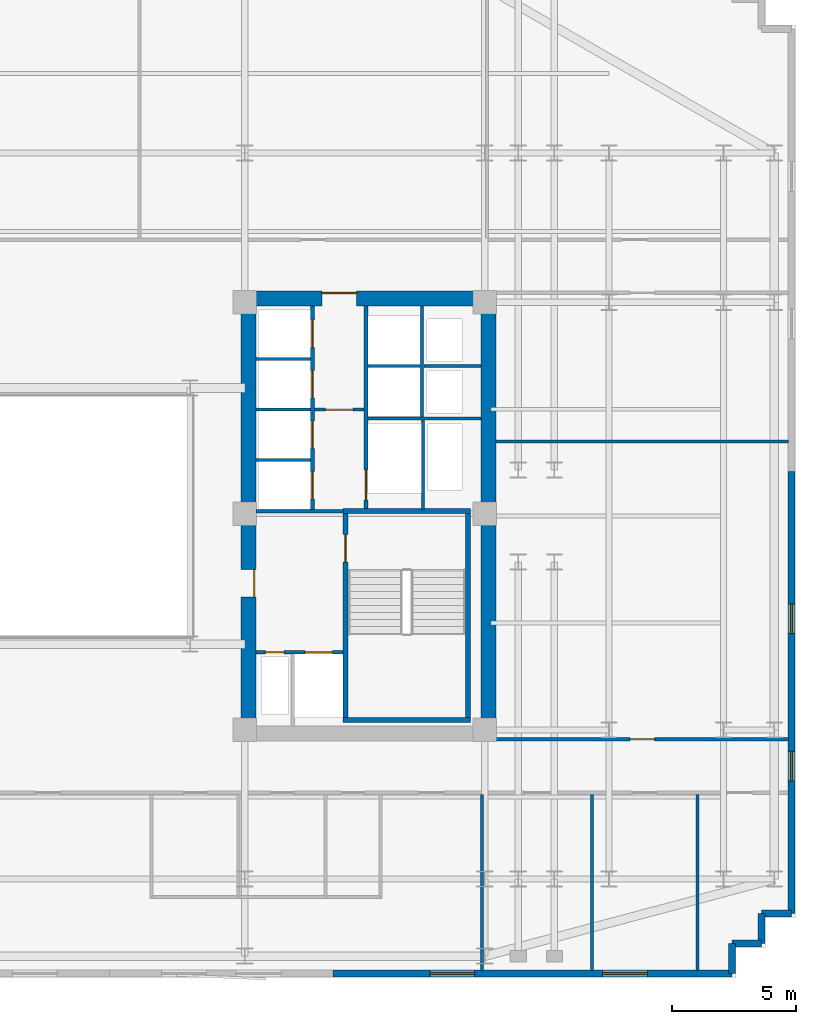
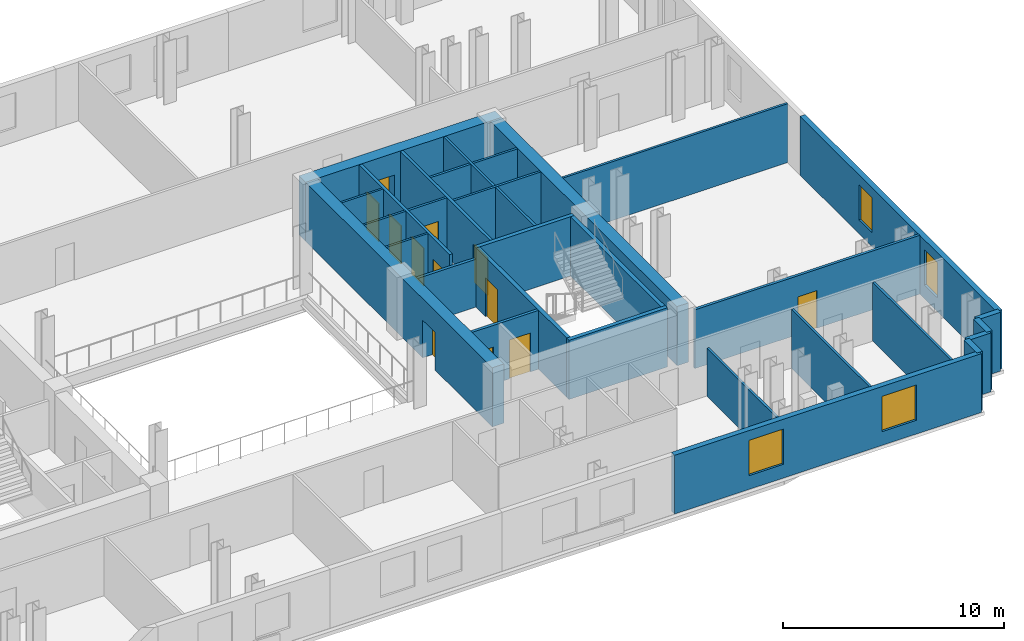
# One storey, part 6 of 9: 31 walls, 12 doors, 4 windows, 16 openings.
"""IFC4 building model written with IfcOpenShell, lengths in metres."""

import ifcopenshell
import ifcopenshell.guid

model = None  # the IFC model being written
_history = None  # IfcOwnerHistory: only IFC2X3 demands one
_inside = {}  # id of a spatial element -> (the spatial element, [elements in it])
_under = {}  # id of a project, library or spatial element -> (it, [spatial elements below it])
_declared = {}  # id of a project -> (the project, [libraries it declares])
_typed = {}  # id of a type object -> (the type object, [elements of that type])
_made_of = {}  # id of a material, layer set ... -> (it, [elements and type objects made of it])


def new_model(schema):
    """Start an empty IFC model of exactly this schema.

    Asked for "IFC4X3", IfcOpenShell would pick the latest addendum, in which some entities
    have other attributes; the version numbers below select the first issue.
    IFC2X3 requires an IfcOwnerHistory on every rooted entity: one is made here for all.
    """
    global model, _history
    if schema == "IFC4X3":
        model = ifcopenshell.file(schema_version=(4, 3, 0, 0))
    else:
        model = ifcopenshell.file(schema=schema)
    _inside.clear()
    _under.clear()
    _declared.clear()
    _typed.clear()
    _made_of.clear()
    _history = None
    if model.schema == "IFC2X3":
        org = make("IfcOrganization", Name="unknown")
        user = make(
            "IfcPersonAndOrganization",
            ThePerson=make("IfcPerson", FamilyName="unknown"),
            TheOrganization=org,
        )
        app = make(
            "IfcApplication",
            ApplicationDeveloper=org,
            Version="unknown",
            ApplicationFullName="unknown",
            ApplicationIdentifier="unknown",
        )
        _history = make(
            "IfcOwnerHistory",
            OwningUser=user,
            OwningApplication=app,
            ChangeAction="ADDED",
            CreationDate=0,
        )
    return model


def make(cls, **values):
    """One entity of the class cls with the attributes given. An attribute that is None is left unset."""
    return model.create_entity(
        cls, **{name: value for name, value in values.items() if value is not None}
    )


def rooted(cls, **values):
    """An entity with a GlobalId (a new one), such as an element, a storey or a relation."""
    return make(cls, GlobalId=ifcopenshell.guid.new(), OwnerHistory=_history, **values)


def si_unit(unit_type, name, prefix=None):
    """IfcSIUnit, for example si_unit("LENGTHUNIT", "METRE", prefix="MILLI")."""
    return make("IfcSIUnit", UnitType=unit_type, Prefix=prefix, Name=name)


def assignment(units):
    """IfcUnitAssignment: the units of a project."""
    return None if units is None else make("IfcUnitAssignment", Units=units)


def point(xyz):
    """IfcCartesianPoint."""
    return None if xyz is None else make("IfcCartesianPoint", Coordinates=xyz)


def direction(xyz):
    """IfcDirection."""
    return None if xyz is None else make("IfcDirection", DirectionRatios=xyz)


def frame(location, z_axis=None, x_axis=None):
    """IfcAxis2Placement3D, a coordinate frame: its origin and axes. An axis left out is left unset."""
    return make(
        "IfcAxis2Placement3D",
        Location=point(location),
        Axis=direction(z_axis),
        RefDirection=direction(x_axis),
    )


def frame_2d(location, x_axis=None):
    """IfcAxis2Placement2D, a coordinate frame in the plane: its origin and x axis."""
    return make(
        "IfcAxis2Placement2D", Location=point(location), RefDirection=direction(x_axis)
    )


def origin():
    """The frame at (0, 0, 0) with its axes left unset."""
    return frame((0.0, 0.0, 0.0))


def place(relative_to, where):
    """IfcLocalPlacement: puts the frame where relative to a parent placement (None: the world)."""
    return make(
        "IfcLocalPlacement", PlacementRelTo=relative_to, RelativePlacement=where
    )


def context(
    kind, dimensions, precision=None, world=None, true_north=None, identifier=None
):
    """IfcGeometricRepresentationContext, for example the 3D "Model" context."""
    return make(
        "IfcGeometricRepresentationContext",
        ContextIdentifier=identifier,
        ContextType=kind,
        CoordinateSpaceDimension=dimensions,
        Precision=precision,
        WorldCoordinateSystem=world,
        TrueNorth=true_north,
    )


def subcontext(parent, identifier, kind, view, scale=None):
    """IfcGeometricRepresentationSubContext, for example "Body" below "Model"."""
    return make(
        "IfcGeometricRepresentationSubContext",
        ContextIdentifier=identifier,
        ContextType=kind,
        ParentContext=parent,
        TargetScale=scale,
        TargetView=view,
    )


def project(units=None, contexts=None):
    """IfcProject with its units and contexts."""
    return rooted(
        "IfcProject",
        Name="project",
        RepresentationContexts=contexts,
        UnitsInContext=assignment(units),
    )


def spatial(cls, under=None, at=None, **own):
    """A site, building, storey or space (cls), placed at a placement, below another one or the project."""
    s = rooted(cls, ObjectPlacement=at, **own)
    if under is not None:
        _under.setdefault(under.id(), (under, []))[1].append(s)
    return s


def profile(cls, at=None, kind="AREA", **sizes):
    """A parametric profile (cls). Its sizes go by their IFC names, for example OverallWidth=200.0."""
    return make(cls, ProfileType=kind, Position=at, **sizes)


def rectangle(**sizes):
    """IfcRectangleProfileDef."""
    return profile("IfcRectangleProfileDef", **sizes)


def extrude(swept, where, along, depth):
    """IfcExtrudedAreaSolid: the profile swept, set in the frame where, extruded along a direction by depth."""
    return make(
        "IfcExtrudedAreaSolid",
        SweptArea=swept,
        Position=where,
        ExtrudedDirection=direction(along),
        Depth=depth,
    )


def shape(context_of_items, identifier, shape_type, items):
    """IfcShapeRepresentation: the items that make up one representation, for example the "Body"."""
    return make(
        "IfcShapeRepresentation",
        ContextOfItems=context_of_items,
        RepresentationIdentifier=identifier,
        RepresentationType=shape_type,
        Items=items,
    )


def material(Name=None, Category=None):
    """IfcMaterial."""
    return make("IfcMaterial", Name=Name, Category=Category)


def layer(
    of_material, thickness, ventilated=None, Name=None, Category=None, Priority=None
):
    """IfcMaterialLayer: one layer of a wall or slab, of a material (None: an air gap)."""
    return make(
        "IfcMaterialLayer",
        Material=of_material,
        LayerThickness=thickness,
        IsVentilated=ventilated,
        Name=Name,
        Category=Category,
        Priority=Priority,
    )


def layer_set(layers, Name=None):
    """IfcMaterialLayerSet."""
    return make("IfcMaterialLayerSet", MaterialLayers=layers, LayerSetName=Name)


def made_of(thing, what):
    """Note that an element or type object is made of a material, layer set ...; save() writes the relation."""
    if what is not None:
        _made_of.setdefault(what.id(), (what, []))[1].append(thing)
    return thing


def type_object(cls, material=None, **own):
    """A type object (cls), such as IfcWallType, which elements share."""
    return made_of(rooted(cls, **own), material)


def element(
    cls,
    number,
    at=None,
    inside=None,
    cuts=None,
    type_object=None,
    material=None,
    context=None,
    identifier="Body",
    shape_type=None,
    held_by="IfcProductDefinitionShape",
    body=None,
    shapes=None,
    **own,
):
    """One element of the class cls, such as IfcWall. Its Tag is "e" and its number.

    at: its placement. inside: the storey or other place that contains it. cuts: it is an
    opening in that element (IfcRelVoidsElement). A single representation is given by context,
    identifier, shape_type and body (its items); several are given by shapes. held_by: the class
    of the entity that holds the representations. save() writes the other relations.
    """
    e = rooted(cls, Tag="e%d" % number, ObjectPlacement=at, **own)
    if body is not None:
        shapes = [shape(context, identifier, shape_type, body)]
    if shapes is not None:
        e.Representation = make(held_by, Representations=shapes)
    if inside is not None:
        _inside.setdefault(inside.id(), (inside, []))[1].append(e)
    if cuts is not None:
        rooted(
            "IfcRelVoidsElement", RelatingBuildingElement=cuts, RelatedOpeningElement=e
        )
    if type_object is not None:
        _typed.setdefault(type_object.id(), (type_object, []))[1].append(e)
    return made_of(e, material)


def fill(opening, filler):
    """IfcRelFillsElement: the door or window that sits in an opening."""
    return rooted(
        "IfcRelFillsElement",
        RelatingOpeningElement=opening,
        RelatedBuildingElement=filler,
    )


def aggregate(whole, parts):
    """IfcRelAggregates: a whole, such as a stair, and the parts it consists of."""
    return rooted("IfcRelAggregates", RelatingObject=whole, RelatedObjects=parts)


def save(model, path):
    """Write the relations noted so far, then the file.

    IfcRelAggregates (storeys below a building ...), IfcRelContainedInSpatialStructure (elements
    in a storey), IfcRelDefinesByType, IfcRelAssociatesMaterial and IfcRelDeclares: one each for
    every whole, place, type object, material and project.
    """
    for whole, parts in _under.values():
        aggregate(whole, parts)
    for where, things in _inside.values():
        rooted(
            "IfcRelContainedInSpatialStructure",
            RelatedElements=things,
            RelatingStructure=where,
        )
    for kind, things in _typed.values():
        rooted("IfcRelDefinesByType", RelatedObjects=things, RelatingType=kind)
    for what, things in _made_of.values():
        rooted("IfcRelAssociatesMaterial", RelatedObjects=things, RelatingMaterial=what)
    for by, libraries in _declared.values():
        rooted("IfcRelDeclares", RelatingContext=by, RelatedDefinitions=libraries)
    model.write(path)


model = new_model("IFC4")

# Units and contexts
model_context = context("Model", 3, precision=1e-05, world=origin(), true_north=direction((0.0, 1.0)))
body_context = subcontext(model_context, "Body", "Model", "MODEL_VIEW")
ifc_project = project(units=[si_unit("LENGTHUNIT", "METRE"), si_unit("AREAUNIT", "SQUARE_METRE"), si_unit("VOLUMEUNIT", "CUBIC_METRE"), si_unit("PLANEANGLEUNIT", "RADIAN"), si_unit("MASSUNIT", "GRAM", prefix="KILO")], contexts=[model_context])

# Site, building, storey
site_placement = place(None, origin())
site = spatial("IfcSite", under=ifc_project, at=site_placement, CompositionType="ELEMENT")
building_placement = place(site_placement, origin())
building = spatial("IfcBuilding", under=site, at=building_placement, Name="Velakula Bourse", CompositionType="ELEMENT")
storey_placement = place(building_placement, frame((0.0, 0.0, 138.10009765625)))
storey = spatial("IfcBuildingStorey", under=building, at=storey_placement, Name="L37", CompositionType="ELEMENT", Elevation=138.10009765625)

# Wall, opening, door
ifc_material_1 = material(Name="Concrete M50 (fck 50 MPa)", Category="concrete")
ifc_layer_1 = layer(ifc_material_1, 0.2099609375, Name="Concrete M50 (fck 50 MPa)", Category="concrete")
ifc_layer_set_1 = layer_set([ifc_layer_1], Name="Concrete M50 (fck 50 MPa)")
wall_type_1 = type_object("IfcWallType", Name="WL-CORE-210", PredefinedType="SHEAR", material=ifc_layer_set_1)
wall_1_placement = place(storey_placement, frame((12.9951171875, -8.10009765625, 0.0), z_axis=(0.0, 0.0, 1.0), x_axis=(0.0, 1.0, 0.0)))
wall_1 = element("IfcWall", 1, at=wall_1_placement, inside=storey, type_object=wall_type_1, Name="L37 Core E Stairwell Shear Wall IN", PredefinedType="SHEAR", context=body_context, shape_type="SweptSolid", body=[
    extrude(rectangle(XDim=8.2001953125, YDim=0.2099609375, at=frame_2d((4.10009765625, 0.0))), origin(), (0.0, 0.0, 1.0), 3.27001953125),
])
opening_1_placement = place(wall_1_placement, frame((6.25, 0.0, 0.0)))
opening_1 = element("IfcOpeningElement", 2, at=opening_1_placement, cuts=wall_1, Name="Opening D-STE1", PredefinedType="OPENING", context=body_context, shape_type="SweptSolid", body=[
    extrude(rectangle(XDim=1.10009765625, YDim=2.14990234375, at=frame_2d((0.550048828125, 1.074951171875))), frame((0.0, 0.114990234375, 0.0), z_axis=(0.0, -1.0, 0.0), x_axis=(1.0, 0.0, 0.0)), (0.0, 0.0, 1.0), 0.22998046875),
])
ifc_material_2 = material(Name="Galvanised painted hollow steel fire door", Category="steel")
door_type_1 = type_object("IfcDoorType", Name="DR-FD120-1100x2150", OperationType="NOTDEFINED", PredefinedType="DOOR", material=ifc_material_2)
door_1_placement = place(opening_1_placement, origin())
door_1 = element("IfcDoor", 3, at=door_1_placement, inside=storey, type_object=door_type_1, Name="L37 Stair ST-E1 Fire Door", OperationType="SINGLE_SWING_RIGHT", OverallHeight=2.14990234375, OverallWidth=1.10009765625, PredefinedType="DOOR", context=body_context, shape_type="SweptSolid", body=[
    extrude(rectangle(XDim=1.10009765625, YDim=2.14990234375, at=frame_2d((0.550048828125, 1.074951171875))), frame((0.0, 0.02490234375, 0.0), z_axis=(0.0, -1.0, 0.0), x_axis=(1.0, 0.0, 0.0)), (0.0, 0.0, 1.0), 0.050048828125),
])
fill(opening_1, door_1)

# Walls
wall_2_placement = place(storey_placement, frame((17.925048828125, -8.10009765625, 0.0), z_axis=(0.0, 0.0, 1.0), x_axis=(0.0, 1.0, 0.0)))
element("IfcWall", 4, at=wall_2_placement, inside=storey, type_object=wall_type_1, Name="L37 Core E Stairwell Shear Wall OUT", PredefinedType="SHEAR", context=body_context, shape_type="SweptSolid", body=[
    extrude(rectangle(XDim=8.2001953125, YDim=0.2099609375, at=frame_2d((4.10009765625, 0.0))), origin(), (0.0, 0.0, 1.0), 3.27001953125),
])
for number, where, z_axis, x_axis, name in (
    (5, (12.889892578125, -8.205078125, 0.0), (0.0, 0.0, 1.0), (1.0, 0.0, 0.0), "L37 Core E Stairwell Shear Wall S"),
    (6, (18.030029296875, 0.205078125, 0.0), (0.0, 0.0, 1.0), (-1.0, 0.0, 0.0), "L37 Core E Stairwell Shear Wall N"),
):
    element("IfcWall", number, at=place(storey_placement, frame(where, z_axis=z_axis, x_axis=x_axis)), inside=storey, type_object=wall_type_1, Name=name, PredefinedType="SHEAR", context=body_context, shape_type="SweptSolid", body=[
        extrude(rectangle(XDim=5.14013671875, YDim=0.2099609375, at=frame_2d((2.570068359375, 0.0))), origin(), (0.0, 0.0, 1.0), 3.27001953125),
    ])

# Wall, opening, door
ifc_material_3 = material(Name="Concrete M70 (fck 70 MPa)", Category="concrete")
ifc_layer_2 = layer(ifc_material_3, 0.60009765625, Name="Concrete M70 (fck 70 MPa)", Category="concrete")
ifc_layer_set_2 = layer_set([ifc_layer_2], Name="Concrete M70 (fck 70 MPa)")
wall_type_2 = type_object("IfcWallType", Name="WL-CORE-600", PredefinedType="SHEAR", material=ifc_layer_set_2)
wall_3_placement = place(storey_placement, frame((8.800048828125, 8.75, 0.0), z_axis=(0.0, 0.0, 1.0), x_axis=(1.0, 0.0, 0.0)))
wall_3 = element("IfcWall", 7, at=wall_3_placement, inside=storey, type_object=wall_type_2, Name="L37 Core E Shear Wall N", PredefinedType="SHEAR", context=body_context, shape_type="SweptSolid", body=[
    extrude(rectangle(XDim=10.25, YDim=0.60009765625, at=frame_2d((5.125, 0.0))), origin(), (0.0, 0.0, 1.0), 3.27001953125),
])
opening_2_placement = place(wall_3_placement, frame((3.25, 0.0, 0.0)))
opening_2 = element("IfcOpeningElement", 8, at=opening_2_placement, cuts=wall_3, Name="Opening D-LLE", PredefinedType="OPENING", context=body_context, shape_type="SweptSolid", body=[
    extrude(rectangle(XDim=1.39990234375, YDim=2.050048828125, at=frame_2d((0.699951171875, 1.02490234375))), frame((0.0, 0.31005859375, 0.0), z_axis=(0.0, -1.0, 0.0), x_axis=(1.0, 0.0, 0.0)), (0.0, 0.0, 1.0), 0.6201171875),
])
ifc_material_4 = material(Name="Fire-rated hardwood flush architectural door", Category="wood")
door_type_2 = type_object("IfcDoorType", Name="DR-DBL-FD60-1400", OperationType="DOUBLE_DOOR_SINGLE_SWING", PredefinedType="DOOR", material=ifc_material_4)
door_2_placement = place(opening_2_placement, origin())
door_2 = element("IfcDoor", 9, at=door_2_placement, inside=storey, type_object=door_type_2, Name="L37 Core E Lift Lobby Corridor Double Door", OperationType="DOUBLE_DOOR_SINGLE_SWING", OverallHeight=2.050048828125, OverallWidth=1.39990234375, PredefinedType="DOOR", context=body_context, shape_type="SweptSolid", body=[
    extrude(rectangle(XDim=1.39990234375, YDim=2.050048828125, at=frame_2d((0.699951171875, 1.02490234375))), frame((0.0, 0.2451171875, 0.0), z_axis=(0.0, -1.0, 0.0), x_axis=(1.0, 0.0, 0.0)), (0.0, 0.0, 1.0), 0.050048828125),
])
fill(opening_2, door_2)

wall_4_placement = place(storey_placement, frame((9.10009765625, -8.449951171875, 0.0), z_axis=(0.0, 0.0, 1.0), x_axis=(0.0, 1.0, 0.0)))
wall_4 = element("IfcWall", 10, at=wall_4_placement, inside=storey, type_object=wall_type_2, Name="L37 Core E Shear Wall W", PredefinedType="SHEAR", context=body_context, shape_type="SweptSolid", body=[
    extrude(rectangle(XDim=16.89990234375, YDim=0.60009765625, at=frame_2d((8.449951171875, 0.0))), origin(), (0.0, 0.0, 1.0), 3.27001953125),
])
opening_3_placement = place(wall_4_placement, frame((5.199951171875, 0.0, 0.0)))
opening_3 = element("IfcOpeningElement", 11, at=opening_3_placement, cuts=wall_4, Name="Opening D-FLE", PredefinedType="OPENING", context=body_context, shape_type="SweptSolid", body=[
    extrude(rectangle(XDim=1.10009765625, YDim=2.080078125, at=frame_2d((0.550048828125, 1.0400390625))), frame((0.0, 0.31005859375, 0.0), z_axis=(0.0, -1.0, 0.0), x_axis=(1.0, 0.0, 0.0)), (0.0, 0.0, 1.0), 0.6201171875),
])
door_type_3 = type_object("IfcDoorType", Name="DR-FD120-1100", OperationType="NOTDEFINED", PredefinedType="DOOR", material=ifc_material_2)
door_3_placement = place(opening_3_placement, origin())
door_3 = element("IfcDoor", 12, at=door_3_placement, inside=storey, type_object=door_type_3, Name="L37 Firefighting Lobby E Corridor Fire Door", OperationType="SINGLE_SWING_RIGHT", OverallHeight=2.080078125, OverallWidth=1.10009765625, PredefinedType="DOOR", context=body_context, shape_type="SweptSolid", body=[
    extrude(rectangle(XDim=1.10009765625, YDim=2.080078125, at=frame_2d((0.550048828125, 1.0400390625))), frame((0.0, -0.205078125, 0.0), z_axis=(0.0, -1.0, 0.0), x_axis=(1.0, 0.0, 0.0)), (0.0, 0.0, 1.0), 0.050048828125),
])
fill(opening_3, door_3)

# Wall
wall_5_placement = place(storey_placement, frame((18.75, -8.449951171875, 0.0), z_axis=(0.0, 0.0, 1.0), x_axis=(0.0, 1.0, 0.0)))
element("IfcWall", 13, at=wall_5_placement, inside=storey, type_object=wall_type_2, Name="L37 Core E Shear Wall E", PredefinedType="SHEAR", context=body_context, shape_type="SweptSolid", body=[
    extrude(rectangle(XDim=16.89990234375, YDim=0.60009765625, at=frame_2d((8.449951171875, 0.0))), origin(), (0.0, 0.0, 1.0), 3.27001953125),
])

# Wall, openings, windows
ifc_material_5 = material(Name="Red kilned clay facing brick masonry", Category="masonry")
ifc_layer_3 = layer(ifc_material_5, 0.280029296875, Name="Red kilned clay facing brick masonry", Category="masonry")
ifc_layer_set_3 = layer_set([ifc_layer_3], Name="Red kilned clay facing brick masonry")
wall_type_3 = type_object("IfcWallType", Name="WL-EXT-BRK-280", PredefinedType="STANDARD", material=ifc_layer_set_3)
wall_6_placement = place(storey_placement, frame((28.5400390625, -18.389892578125, 0.0), z_axis=(0.0, 0.0, 1.0), x_axis=(-1.0, 0.0, 0.0)))
wall_6 = element("IfcWall", 14, at=wall_6_placement, inside=storey, type_object=wall_type_3, Name="L37 S Brick Spandrel Wall B5", PredefinedType="STANDARD", context=body_context, shape_type="SweptSolid", body=[
    extrude(rectangle(XDim=16.0400390625, YDim=0.280029296875, at=frame_2d((8.02001953125, 0.0))), origin(), (0.0, 0.0, 1.0), 3.25),
])
opening_4_placement = place(wall_6_placement, frame((3.396728515625, 0.0, 0.760009765625)))
opening_4 = element("IfcOpeningElement", 15, at=opening_4_placement, cuts=wall_6, Name="Opening W-01", PredefinedType="OPENING", context=body_context, shape_type="SweptSolid", body=[
    extrude(rectangle(XDim=1.800048828125, YDim=1.949951171875, at=frame_2d((0.89990234375, 0.97509765625))), frame((0.0, 0.14990234375, 0.0), z_axis=(0.0, -1.0, 0.0), x_axis=(1.0, 0.0, 0.0)), (0.0, 0.0, 1.0), 0.300048828125),
])
opening_5_placement = place(wall_6_placement, frame((10.34326171875, 0.0, 0.760009765625)))
opening_5 = element("IfcOpeningElement", 16, at=opening_5_placement, cuts=wall_6, Name="Opening W-01", PredefinedType="OPENING", context=body_context, shape_type="SweptSolid", body=[
    extrude(rectangle(XDim=1.800048828125, YDim=1.949951171875, at=frame_2d((0.89990234375, 0.97509765625))), frame((0.0, 0.14990234375, 0.0), z_axis=(0.0, -1.0, 0.0), x_axis=(1.0, 0.0, 0.0)), (0.0, 0.0, 1.0), 0.300048828125),
])
ifc_material_6 = material(Name="Double-glazed solar-control Low-E glass", Category="glass")
window_type_1 = type_object("IfcWindowType", Name="WIN-TWR-1800x2100", PartitioningType="SINGLE_PANEL", PredefinedType="WINDOW", material=ifc_material_6)
window_1_placement = place(opening_4_placement, origin())
window_1 = element("IfcWindow", 17, at=window_1_placement, inside=storey, type_object=window_type_1, Name="L37 Deep-Set Recessed Window 1", OverallHeight=1.949951171875, OverallWidth=1.800048828125, PartitioningType="SINGLE_PANEL", PredefinedType="WINDOW", context=body_context, shape_type="SweptSolid", body=[
    extrude(rectangle(XDim=1.800048828125, YDim=1.949951171875, at=frame_2d((0.89990234375, 0.97509765625))), frame((0.0, 0.030029296875, 0.0), z_axis=(0.0, -1.0, 0.0), x_axis=(1.0, 0.0, 0.0)), (0.0, 0.0, 1.0), 0.06005859375),
])
fill(opening_4, window_1)
window_2_placement = place(opening_5_placement, origin())
window_2 = element("IfcWindow", 18, at=window_2_placement, inside=storey, type_object=window_type_1, Name="L37 Deep-Set Recessed Window 2", OverallHeight=1.949951171875, OverallWidth=1.800048828125, PartitioningType="SINGLE_PANEL", PredefinedType="WINDOW", context=body_context, shape_type="SweptSolid", body=[
    extrude(rectangle(XDim=1.800048828125, YDim=1.949951171875, at=frame_2d((0.89990234375, 0.97509765625))), frame((0.0, 0.030029296875, 0.0), z_axis=(0.0, -1.0, 0.0), x_axis=(1.0, 0.0, 0.0)), (0.0, 0.0, 1.0), 0.06005859375),
])
fill(opening_5, window_2)

wall_7_placement = place(storey_placement, frame((30.93994140625, 1.800048828125, 0.0), z_axis=(0.0, 0.0, 1.0), x_axis=(0.0, -1.0, 0.0)))
wall_7 = element("IfcWall", 19, at=wall_7_placement, inside=storey, type_object=wall_type_3, Name="L37 E Brick End Wall W1", PredefinedType="STANDARD", context=body_context, shape_type="SweptSolid", body=[
    extrude(rectangle(XDim=17.7900390625, YDim=0.280029296875, at=frame_2d((8.89501953125, 0.0))), origin(), (0.0, 0.0, 1.0), 3.25),
])
opening_6_placement = place(wall_7_placement, frame((5.330078125, 0.0, 0.760009765625)))
opening_6 = element("IfcOpeningElement", 20, at=opening_6_placement, cuts=wall_7, Name="Opening W-04", PredefinedType="OPENING", context=body_context, shape_type="SweptSolid", body=[
    extrude(rectangle(XDim=1.199951171875, YDim=1.949951171875, at=frame_2d((0.60009765625, 0.97509765625))), frame((0.0, 0.14990234375, 0.0), z_axis=(0.0, -1.0, 0.0), x_axis=(1.0, 0.0, 0.0)), (0.0, 0.0, 1.0), 0.300048828125),
])
opening_7_placement = place(wall_7_placement, frame((11.260009765625, 0.0, 0.760009765625)))
opening_7 = element("IfcOpeningElement", 21, at=opening_7_placement, cuts=wall_7, Name="Opening W-04", PredefinedType="OPENING", context=body_context, shape_type="SweptSolid", body=[
    extrude(rectangle(XDim=1.199951171875, YDim=1.949951171875, at=frame_2d((0.60009765625, 0.97509765625))), frame((0.0, 0.14990234375, 0.0), z_axis=(0.0, -1.0, 0.0), x_axis=(1.0, 0.0, 0.0)), (0.0, 0.0, 1.0), 0.300048828125),
])
window_type_2 = type_object("IfcWindowType", Name="WIN-TWR-1200x2100", PartitioningType="SINGLE_PANEL", PredefinedType="WINDOW", material=ifc_material_6)
window_3_placement = place(opening_6_placement, origin())
window_3 = element("IfcWindow", 22, at=window_3_placement, inside=storey, type_object=window_type_2, Name="L37 Deep-Set Recessed Window 1", OverallHeight=1.949951171875, OverallWidth=1.199951171875, PartitioningType="SINGLE_PANEL", PredefinedType="WINDOW", context=body_context, shape_type="SweptSolid", body=[
    extrude(rectangle(XDim=1.199951171875, YDim=1.949951171875, at=frame_2d((0.60009765625, 0.97509765625))), frame((0.0, 0.030029296875, 0.0), z_axis=(0.0, -1.0, 0.0), x_axis=(1.0, 0.0, 0.0)), (0.0, 0.0, 1.0), 0.06005859375),
])
fill(opening_6, window_3)
window_4_placement = place(opening_7_placement, origin())
window_4 = element("IfcWindow", 23, at=window_4_placement, inside=storey, type_object=window_type_2, Name="L37 Deep-Set Recessed Window 2", OverallHeight=1.949951171875, OverallWidth=1.199951171875, PartitioningType="SINGLE_PANEL", PredefinedType="WINDOW", context=body_context, shape_type="SweptSolid", body=[
    extrude(rectangle(XDim=1.199951171875, YDim=1.949951171875, at=frame_2d((0.60009765625, 0.97509765625))), frame((0.0, 0.030029296875, 0.0), z_axis=(0.0, -1.0, 0.0), x_axis=(1.0, 0.0, 0.0)), (0.0, 0.0, 1.0), 0.06005859375),
])
fill(opening_7, window_4)

# Walls
for number, where, z_axis, x_axis, name in (
    (24, (28.5400390625, -18.389892578125, 0.0), (0.0, 0.0, 1.0), (0.0, 1.0, 0.0), "L37 Serrated Corner Brick Wall SE-1"),
    (25, (28.5400390625, -17.18994140625, 0.0), (0.0, 0.0, 1.0), (1.0, 0.0, 0.0), "L37 Serrated Corner Brick Wall SE-2"),
    (26, (29.739990234375, -17.18994140625, 0.0), (0.0, 0.0, 1.0), (0.0, 1.0, 0.0), "L37 Serrated Corner Brick Wall SE-3"),
    (27, (29.739990234375, -15.989990234375, 0.0), (0.0, 0.0, 1.0), (1.0, 0.0, 0.0), "L37 Serrated Corner Brick Wall SE-4"),
):
    element("IfcWall", number, at=place(storey_placement, frame(where, z_axis=z_axis, x_axis=x_axis)), inside=storey, type_object=wall_type_3, Name=name, PredefinedType="STANDARD", context=body_context, shape_type="SweptSolid", body=[
        extrude(rectangle(XDim=1.199951171875, YDim=0.280029296875, at=frame_2d((0.60009765625, 0.0))), origin(), (0.0, 0.0, 1.0), 3.25),
    ])

# Wall, opening, door
ifc_material_7 = material(Name="Fire-rated double-layer gypsum drywall partition", Category="gypsum")
ifc_layer_4 = layer(ifc_material_7, 0.1201171875, Name="Fire-rated double-layer gypsum drywall partition", Category="gypsum")
ifc_layer_set_4 = layer_set([ifc_layer_4], Name="Fire-rated double-layer gypsum drywall partition")
wall_type_4 = type_object("IfcWallType", Name="WL-PART-120", PredefinedType="STANDARD", material=ifc_layer_set_4)
wall_8_placement = place(storey_placement, frame((11.75, 4.280029296875, 0.0), z_axis=(0.0, 0.0, 1.0), x_axis=(1.0, 0.0, 0.0)))
wall_8 = element("IfcWall", 28, at=wall_8_placement, inside=storey, type_object=wall_type_4, Name="L37 Interior Partition WL-CRE-L37-LL-K2", PredefinedType="STANDARD", context=body_context, shape_type="SweptSolid", body=[
    extrude(rectangle(XDim=2.0, YDim=0.1201171875, at=frame_2d((1.0, 0.0))), origin(), (0.0, 0.0, 1.0), 3.25),
])
opening_8_placement = place(wall_8_placement, frame((0.449951171875, 0.0, 0.0)))
opening_8 = element("IfcOpeningElement", 29, at=opening_8_placement, cuts=wall_8, Name="Opening D-LK2", PredefinedType="OPENING", context=body_context, shape_type="SweptSolid", body=[
    extrude(rectangle(XDim=1.10009765625, YDim=2.10009765625, at=frame_2d((0.550048828125, 1.050048828125))), frame((0.0, 0.070068359375, 0.0), z_axis=(0.0, -1.0, 0.0), x_axis=(1.0, 0.0, 0.0)), (0.0, 0.0, 1.0), 0.14013671875),
])
door_type_4 = type_object("IfcDoorType", Name="DR-FD60-1100x2100", OperationType="NOTDEFINED", PredefinedType="DOOR", material=ifc_material_4)
door_4_placement = place(opening_8_placement, origin())
door_4 = element("IfcDoor", 30, at=door_4_placement, inside=storey, type_object=door_type_4, Name="L37 Core E Lift Lobby Zone Door", OperationType="SINGLE_SWING_LEFT", OverallHeight=2.10009765625, OverallWidth=1.10009765625, PredefinedType="DOOR", context=body_context, shape_type="SweptSolid", body=[
    extrude(rectangle(XDim=1.10009765625, YDim=2.10009765625, at=frame_2d((0.550048828125, 1.050048828125))), frame((0.0, 0.02490234375, 0.0), z_axis=(0.0, -1.0, 0.0), x_axis=(1.0, 0.0, 0.0)), (0.0, 0.0, 1.0), 0.050048828125),
])
fill(opening_8, door_4)

# Walls
for number, where, z_axis, x_axis, name in (
    (31, (9.39990234375, 2.2548828125, 0.0), (0.0, 0.0, 1.0), (1.0, 0.0, 0.0), "L37 Interior Partition WL-CRE-L37-BDIV-0"),
    (32, (9.39990234375, 4.284912109375, 0.0), (0.0, 0.0, 1.0), (1.0, 0.0, 0.0), "L37 Interior Partition WL-CRE-L37-BDIV-1"),
    (33, (9.39990234375, 6.31494140625, 0.0), (0.0, 0.0, 1.0), (1.0, 0.0, 0.0), "L37 Interior Partition WL-CRE-L37-BDIV-2"),
):
    element("IfcWall", number, at=place(storey_placement, frame(where, z_axis=z_axis, x_axis=x_axis)), inside=storey, type_object=wall_type_4, Name=name, PredefinedType="STANDARD", context=body_context, shape_type="SweptSolid", body=[
        extrude(rectangle(XDim=2.2001953125, YDim=0.110107421875, at=frame_2d((1.10009765625, 0.0))), origin(), (0.0, 0.0, 1.0), 3.25),
    ])
wall_9_placement = place(storey_placement, frame((13.89990234375, 3.919921875, 0.0), z_axis=(0.0, 0.0, 1.0), x_axis=(1.0, 0.0, 0.0)))
element("IfcWall", 34, at=wall_9_placement, inside=storey, type_object=wall_type_4, Name="L37 Interior Partition WL-CRE-L37-HI-S", PredefinedType="STANDARD", context=body_context, shape_type="SweptSolid", body=[
    extrude(rectangle(XDim=4.550048828125, YDim=0.1201171875, at=frame_2d((2.27490234375, 0.0))), origin(), (0.0, 0.0, 1.0), 3.25),
])
wall_10_placement = place(storey_placement, frame((16.14990234375, 6.030029296875, 0.0), z_axis=(0.0, 0.0, 1.0), x_axis=(1.0, 0.0, 0.0)))
element("IfcWall", 35, at=wall_10_placement, inside=storey, type_object=wall_type_4, Name="L37 Interior Partition WL-CRE-L37-RIS-MID", PredefinedType="STANDARD", context=body_context, shape_type="SweptSolid", body=[
    extrude(rectangle(XDim=2.300048828125, YDim=0.1201171875, at=frame_2d((1.14990234375, 0.0))), origin(), (0.0, 0.0, 1.0), 3.25),
])
wall_11_placement = place(storey_placement, frame((16.074951171875, 3.97998046875, 0.0), z_axis=(0.0, 0.0, 1.0), x_axis=(0.0, 1.0, 0.0)))
element("IfcWall", 36, at=wall_11_placement, inside=storey, type_object=wall_type_4, Name="L37 Interior Partition WL-CRE-L37-RIS-F", PredefinedType="STANDARD", context=body_context, shape_type="SweptSolid", body=[
    extrude(rectangle(XDim=4.469970703125, YDim=0.1201171875, at=frame_2d((2.23486328125, 0.0))), origin(), (0.0, 0.0, 1.0), 3.25),
])
wall_12_placement = place(storey_placement, frame((13.89990234375, 6.030029296875, 0.0), z_axis=(0.0, 0.0, 1.0), x_axis=(1.0, 0.0, 0.0)))
element("IfcWall", 37, at=wall_12_placement, inside=storey, type_object=wall_type_4, Name="L37 Interior Partition WL-CRE-L37-HI-DIV", PredefinedType="STANDARD", context=body_context, shape_type="SweptSolid", body=[
    extrude(rectangle(XDim=2.10009765625, YDim=0.1201171875, at=frame_2d((1.050048828125, 0.0))), origin(), (0.0, 0.0, 1.0), 3.25),
])
wall_13_placement = place(storey_placement, frame((16.125, 0.27001953125, 0.0), z_axis=(0.0, 0.0, 1.0), x_axis=(0.0, 1.0, 0.0)))
element("IfcWall", 38, at=wall_13_placement, inside=storey, type_object=wall_type_4, Name="L37 Interior Partition WL-CRE-L37-SVL-E", PredefinedType="STANDARD", context=body_context, shape_type="SweptSolid", body=[
    extrude(rectangle(XDim=3.590087890625, YDim=0.1201171875, at=frame_2d((1.794921875, 0.0))), origin(), (0.0, 0.0, 1.0), 3.25),
])
wall_14_placement = place(storey_placement, frame((18.489990234375, -18.27001953125, 0.0), z_axis=(0.0, 0.0, 1.0), x_axis=(0.0, 1.0, 0.0)))
element("IfcWall", 39, at=wall_14_placement, inside=storey, type_object=wall_type_4, Name="L37 Interior Partition WL-INT-L37-SR-D8", PredefinedType="STANDARD", context=body_context, shape_type="SweptSolid", body=[
    extrude(rectangle(XDim=7.080078125, YDim=0.1201171875, at=frame_2d((3.5400390625, 0.0))), origin(), (0.0, 0.0, 1.0), 2.64501953125),
])
for number, where, z_axis, x_axis, name in (
    (40, (22.906982421875, -18.27001953125, 0.0), (0.0, 0.0, 1.0), (0.0, 1.0, 0.0), "L37 Interior Partition WL-INT-L37-SR-D9"),
    (41, (27.160888671875, -18.27001953125, 0.0), (0.0, 0.0, 1.0), (0.0, 1.0, 0.0), "L37 Interior Partition WL-INT-L37-SR-D10"),
):
    element("IfcWall", number, at=place(storey_placement, frame(where, z_axis=z_axis, x_axis=x_axis)), inside=storey, type_object=wall_type_4, Name=name, PredefinedType="STANDARD", context=body_context, shape_type="SweptSolid", body=[
        extrude(rectangle(XDim=7.080078125, YDim=0.1201171875, at=frame_2d((3.5400390625, 0.0))), origin(), (0.0, 0.0, 1.0), 3.25),
    ])
wall_15_placement = place(storey_placement, frame((19.050048828125, 3.0, 0.0), z_axis=(0.0, 0.0, 1.0), x_axis=(1.0, 0.0, 0.0)))
element("IfcWall", 42, at=wall_15_placement, inside=storey, type_object=wall_type_4, Name="L37 Interior Partition WL-INT-L37-E-H", PredefinedType="STANDARD", context=body_context, shape_type="SweptSolid", body=[
    extrude(rectangle(XDim=11.77001953125, YDim=0.1201171875, at=frame_2d((5.885009765625, 0.0))), origin(), (0.0, 0.0, 1.0), 3.25),
])

# Wall, opening, door
ifc_layer_5 = layer(ifc_material_7, 0.139892578125, Name="Fire-rated double-layer gypsum drywall partition", Category="gypsum")
ifc_layer_set_5 = layer_set([ifc_layer_5], Name="Fire-rated double-layer gypsum drywall partition")
wall_type_5 = type_object("IfcWallType", Name="WL-PART-140", PredefinedType="STANDARD", material=ifc_layer_set_5)
wall_16_placement = place(storey_placement, frame((19.050048828125, -8.97998046875, 0.0), z_axis=(0.0, 0.0, 1.0), x_axis=(1.0, 0.0, 0.0)))
wall_16 = element("IfcWall", 43, at=wall_16_placement, inside=storey, type_object=wall_type_5, Name="L37 Interior Partition WL-INT-L37-E-SC", PredefinedType="STANDARD", context=body_context, shape_type="SweptSolid", body=[
    extrude(rectangle(XDim=11.77001953125, YDim=0.139892578125, at=frame_2d((5.885009765625, 0.0))), origin(), (0.0, 0.0, 1.0), 3.25),
])
opening_9_placement = place(wall_16_placement, frame((5.385009765625, 0.0, 0.0)))
opening_9 = element("IfcOpeningElement", 44, at=opening_9_placement, cuts=wall_16, Name="Opening D-OF1", PredefinedType="OPENING", context=body_context, shape_type="SweptSolid", body=[
    extrude(rectangle(XDim=1.0, YDim=2.080078125, at=frame_2d((0.5, 1.0400390625))), frame((0.0, 0.079833984375, 0.0), z_axis=(0.0, -1.0, 0.0), x_axis=(1.0, 0.0, 0.0)), (0.0, 0.0, 1.0), 0.159912109375),
])
door_type_5 = type_object("IfcDoorType", Name="DR-OFF-1000", OperationType="NOTDEFINED", PredefinedType="DOOR", material=ifc_material_4)
door_5_placement = place(opening_9_placement, origin())
door_5 = element("IfcDoor", 45, at=door_5_placement, inside=storey, type_object=door_type_5, Name="L37 FX Spot Dealing Workspace Door", OperationType="SINGLE_SWING_RIGHT", OverallHeight=2.080078125, OverallWidth=1.0, PredefinedType="DOOR", context=body_context, shape_type="SweptSolid", body=[
    extrude(rectangle(XDim=1.0, YDim=2.080078125, at=frame_2d((0.5, 1.0400390625))), frame((0.0, 0.02490234375, 0.0), z_axis=(0.0, -1.0, 0.0), x_axis=(1.0, 0.0, 0.0)), (0.0, 0.0, 1.0), 0.050048828125),
])
fill(opening_9, door_5)

# Wall, openings, doors
ifc_material_8 = material(Name="Autoclaved aerated concrete blockwork masonry", Category="masonry")
ifc_layer_6 = layer(ifc_material_8, 0.14990234375, Name="Autoclaved aerated concrete blockwork masonry", Category="masonry")
ifc_layer_set_6 = layer_set([ifc_layer_6], Name="Autoclaved aerated concrete blockwork masonry")
wall_type_6 = type_object("IfcWallType", Name="WL-SHAFT-150", PredefinedType="STANDARD", material=ifc_layer_set_6)
wall_17_placement = place(storey_placement, frame((9.39990234375, -5.47509765625, 0.0), z_axis=(0.0, 0.0, 1.0), x_axis=(1.0, 0.0, 0.0)))
wall_17 = element("IfcWall", 46, at=wall_17_placement, inside=storey, type_object=wall_type_6, Name="L37 Interior Partition WL-CRE-L37-FFL-N", PredefinedType="STANDARD", context=body_context, shape_type="SweptSolid", body=[
    extrude(rectangle(XDim=3.4951171875, YDim=0.14990234375, at=frame_2d((1.74755859375, 0.0))), origin(), (0.0, 0.0, 1.0), 3.25),
])
opening_10_placement = place(wall_17_placement, frame((1.97509765625, 0.0, 0.0)))
opening_10 = element("IfcOpeningElement", 47, at=opening_10_placement, cuts=wall_17, Name="Opening LD-FFL-2", PredefinedType="OPENING", context=body_context, shape_type="SweptSolid", body=[
    extrude(rectangle(XDim=1.10009765625, YDim=2.14990234375, at=frame_2d((0.550048828125, 1.074951171875))), frame((0.0, 0.0849609375, 0.0), z_axis=(0.0, -1.0, 0.0), x_axis=(1.0, 0.0, 0.0)), (0.0, 0.0, 1.0), 0.169921875),
])
opening_11_placement = place(wall_17_placement, frame((0.375, 0.0, 0.0)))
opening_11 = element("IfcOpeningElement", 48, at=opening_11_placement, cuts=wall_17, Name="Opening D-RS1", PredefinedType="OPENING", context=body_context, shape_type="SweptSolid", body=[
    extrude(rectangle(XDim=0.75, YDim=2.050048828125, at=frame_2d((0.375, 1.02490234375))), frame((0.0, 0.0849609375, 0.0), z_axis=(0.0, -1.0, 0.0), x_axis=(1.0, 0.0, 0.0)), (0.0, 0.0, 1.0), 0.169921875),
])
door_type_6 = type_object("IfcDoorType", Name="DR-RISER-800", OperationType="NOTDEFINED", PredefinedType="DOOR", material=ifc_material_2)
door_6_placement = place(opening_11_placement, origin())
door_6 = element("IfcDoor", 49, at=door_6_placement, inside=storey, type_object=door_type_6, Name="L37 Fire Riser Access Door", OperationType="SINGLE_SWING_LEFT", OverallHeight=2.050048828125, OverallWidth=0.75, PredefinedType="DOOR", context=body_context, shape_type="SweptSolid", body=[
    extrude(rectangle(XDim=0.75, YDim=2.050048828125, at=frame_2d((0.375, 1.02490234375))), frame((0.0, 0.02490234375, 0.0), z_axis=(0.0, -1.0, 0.0), x_axis=(1.0, 0.0, 0.0)), (0.0, 0.0, 1.0), 0.050048828125),
])
fill(opening_11, door_6)
ifc_material_9 = material(Name="Brushed grade 316 stainless steel", Category="steel")
door_type_7 = type_object("IfcDoorType", Name="DR-SLIDE-FFL-1100", OperationType="DOUBLE_DOOR_SLIDING", PredefinedType="DOOR", material=ifc_material_9)
door_7_placement = place(opening_10_placement, origin())
door_7 = element("IfcDoor", 50, at=door_7_placement, inside=storey, type_object=door_type_7, Name="L37 Firefighting Lift FFL-2 Sliding Landing Door", OperationType="DOUBLE_DOOR_SLIDING", OverallHeight=2.14990234375, OverallWidth=1.10009765625, PredefinedType="DOOR", context=body_context, shape_type="SweptSolid", body=[
    extrude(rectangle(XDim=1.10009765625, YDim=2.14990234375, at=frame_2d((0.550048828125, 1.074951171875))), frame((0.0, 0.02490234375, 0.0), z_axis=(0.0, -1.0, 0.0), x_axis=(1.0, 0.0, 0.0)), (0.0, 0.0, 1.0), 0.050048828125),
])
fill(opening_10, door_7)

# Wall
wall_18_placement = place(storey_placement, frame((9.39990234375, 0.18994140625, 0.0), z_axis=(0.0, 0.0, 1.0), x_axis=(1.0, 0.0, 0.0)))
element("IfcWall", 51, at=wall_18_placement, inside=storey, type_object=wall_type_6, Name="L37 Interior Partition WL-CRE-L37-FF-TOP", PredefinedType="STANDARD", context=body_context, shape_type="SweptSolid", body=[
    extrude(rectangle(XDim=3.489990234375, YDim=0.14990234375, at=frame_2d((1.7451171875, 0.0))), origin(), (0.0, 0.0, 1.0), 2.64501953125),
])

# Wall, openings, doors
wall_19_placement = place(storey_placement, frame((11.675048828125, 0.27001953125, 0.0), z_axis=(0.0, 0.0, 1.0), x_axis=(0.0, 1.0, 0.0)))
wall_19 = element("IfcWall", 52, at=wall_19_placement, inside=storey, type_object=wall_type_6, Name="L37 Interior Partition WL-CRE-L37-BANK-F", PredefinedType="STANDARD", context=body_context, shape_type="SweptSolid", body=[
    extrude(rectangle(XDim=8.179931640625, YDim=0.14990234375, at=frame_2d((4.08984375, 0.0))), origin(), (0.0, 0.0, 1.0), 3.25),
])
opening_12_placement = place(wall_19_placement, frame((0.419921875, 0.0, 0.0)))
opening_12 = element("IfcOpeningElement", 53, at=opening_12_placement, cuts=wall_19, Name="Opening LD-P5", PredefinedType="OPENING", context=body_context, shape_type="SweptSolid", body=[
    extrude(rectangle(XDim=1.10009765625, YDim=2.10009765625, at=frame_2d((0.550048828125, 1.050048828125))), frame((0.0, 0.0849609375, 0.0), z_axis=(0.0, -1.0, 0.0), x_axis=(1.0, 0.0, 0.0)), (0.0, 0.0, 1.0), 0.169921875),
])
opening_13_placement = place(wall_19_placement, frame((2.449951171875, 0.0, 0.0)))
opening_13 = element("IfcOpeningElement", 54, at=opening_13_placement, cuts=wall_19, Name="Opening LD-P6", PredefinedType="OPENING", context=body_context, shape_type="SweptSolid", body=[
    extrude(rectangle(XDim=1.10009765625, YDim=2.10009765625, at=frame_2d((0.550048828125, 1.050048828125))), frame((0.0, 0.0849609375, 0.0), z_axis=(0.0, -1.0, 0.0), x_axis=(1.0, 0.0, 0.0)), (0.0, 0.0, 1.0), 0.169921875),
])
opening_14_placement = place(wall_19_placement, frame((4.47998046875, 0.0, 0.0)))
opening_14 = element("IfcOpeningElement", 55, at=opening_14_placement, cuts=wall_19, Name="Opening LD-P7", PredefinedType="OPENING", context=body_context, shape_type="SweptSolid", body=[
    extrude(rectangle(XDim=1.10009765625, YDim=2.10009765625, at=frame_2d((0.550048828125, 1.050048828125))), frame((0.0, 0.0849609375, 0.0), z_axis=(0.0, -1.0, 0.0), x_axis=(1.0, 0.0, 0.0)), (0.0, 0.0, 1.0), 0.169921875),
])
opening_15_placement = place(wall_19_placement, frame((6.510009765625, 0.0, 0.0)))
opening_15 = element("IfcOpeningElement", 56, at=opening_15_placement, cuts=wall_19, Name="Opening LD-P8", PredefinedType="OPENING", context=body_context, shape_type="SweptSolid", body=[
    extrude(rectangle(XDim=1.10009765625, YDim=2.10009765625, at=frame_2d((0.550048828125, 1.050048828125))), frame((0.0, 0.0849609375, 0.0), z_axis=(0.0, -1.0, 0.0), x_axis=(1.0, 0.0, 0.0)), (0.0, 0.0, 1.0), 0.169921875),
])
door_type_8 = type_object("IfcDoorType", Name="DR-SLIDE-LD-1100", OperationType="DOUBLE_DOOR_SLIDING", PredefinedType="DOOR", material=ifc_material_9)
door_8_placement = place(opening_12_placement, origin())
door_8 = element("IfcDoor", 57, at=door_8_placement, inside=storey, type_object=door_type_8, Name="L37 Passenger Lift P5 Sliding Landing Door", OperationType="DOUBLE_DOOR_SLIDING", OverallHeight=2.10009765625, OverallWidth=1.10009765625, PredefinedType="DOOR", context=body_context, shape_type="SweptSolid", body=[
    extrude(rectangle(XDim=1.10009765625, YDim=2.10009765625, at=frame_2d((0.550048828125, 1.050048828125))), frame((0.0, 0.02490234375, 0.0), z_axis=(0.0, -1.0, 0.0), x_axis=(1.0, 0.0, 0.0)), (0.0, 0.0, 1.0), 0.050048828125),
])
fill(opening_12, door_8)
door_9_placement = place(opening_13_placement, origin())
door_9 = element("IfcDoor", 58, at=door_9_placement, inside=storey, type_object=door_type_8, Name="L37 Passenger Lift P6 Sliding Landing Door", OperationType="DOUBLE_DOOR_SLIDING", OverallHeight=2.10009765625, OverallWidth=1.10009765625, PredefinedType="DOOR", context=body_context, shape_type="SweptSolid", body=[
    extrude(rectangle(XDim=1.10009765625, YDim=2.10009765625, at=frame_2d((0.550048828125, 1.050048828125))), frame((0.0, 0.02490234375, 0.0), z_axis=(0.0, -1.0, 0.0), x_axis=(1.0, 0.0, 0.0)), (0.0, 0.0, 1.0), 0.050048828125),
])
fill(opening_13, door_9)
door_10_placement = place(opening_14_placement, origin())
door_10 = element("IfcDoor", 59, at=door_10_placement, inside=storey, type_object=door_type_8, Name="L37 Passenger Lift P7 Sliding Landing Door", OperationType="DOUBLE_DOOR_SLIDING", OverallHeight=2.10009765625, OverallWidth=1.10009765625, PredefinedType="DOOR", context=body_context, shape_type="SweptSolid", body=[
    extrude(rectangle(XDim=1.10009765625, YDim=2.10009765625, at=frame_2d((0.550048828125, 1.050048828125))), frame((0.0, 0.02490234375, 0.0), z_axis=(0.0, -1.0, 0.0), x_axis=(1.0, 0.0, 0.0)), (0.0, 0.0, 1.0), 0.050048828125),
])
fill(opening_14, door_10)
door_11_placement = place(opening_15_placement, origin())
door_11 = element("IfcDoor", 60, at=door_11_placement, inside=storey, type_object=door_type_8, Name="L37 Passenger Lift P8 Sliding Landing Door", OperationType="DOUBLE_DOOR_SLIDING", OverallHeight=2.10009765625, OverallWidth=1.10009765625, PredefinedType="DOOR", context=body_context, shape_type="SweptSolid", body=[
    extrude(rectangle(XDim=1.10009765625, YDim=2.10009765625, at=frame_2d((0.550048828125, 1.050048828125))), frame((0.0, 0.02490234375, 0.0), z_axis=(0.0, -1.0, 0.0), x_axis=(1.0, 0.0, 0.0)), (0.0, 0.0, 1.0), 0.050048828125),
])
fill(opening_15, door_11)

# Wall, opening, door
wall_20_placement = place(storey_placement, frame((13.824951171875, 0.27001953125, 0.0), z_axis=(0.0, 0.0, 1.0), x_axis=(0.0, 1.0, 0.0)))
wall_20 = element("IfcWall", 61, at=wall_20_placement, inside=storey, type_object=wall_type_6, Name="L37 Interior Partition WL-CRE-L37-OUT-F", PredefinedType="STANDARD", context=body_context, shape_type="SweptSolid", body=[
    extrude(rectangle(XDim=8.179931640625, YDim=0.14990234375, at=frame_2d((4.08984375, 0.0))), origin(), (0.0, 0.0, 1.0), 3.25),
])
opening_16_placement = place(wall_20_placement, frame((0.3798828125, 0.0, 0.0)))
opening_16 = element("IfcOpeningElement", 62, at=opening_16_placement, cuts=wall_20, Name="Opening LD-SVL1", PredefinedType="OPENING", context=body_context, shape_type="SweptSolid", body=[
    extrude(rectangle(XDim=1.199951171875, YDim=2.10009765625, at=frame_2d((0.60009765625, 1.050048828125))), frame((0.0, 0.0849609375, 0.0), z_axis=(0.0, -1.0, 0.0), x_axis=(1.0, 0.0, 0.0)), (0.0, 0.0, 1.0), 0.169921875),
])
door_type_9 = type_object("IfcDoorType", Name="DR-SLIDE-LD-1200", OperationType="DOUBLE_DOOR_SLIDING", PredefinedType="DOOR", material=ifc_material_9)
door_12_placement = place(opening_16_placement, origin())
door_12 = element("IfcDoor", 63, at=door_12_placement, inside=storey, type_object=door_type_9, Name="L37 Service Lift SVL-1 Sliding Landing Door", OperationType="DOUBLE_DOOR_SLIDING", OverallHeight=2.10009765625, OverallWidth=1.199951171875, PredefinedType="DOOR", context=body_context, shape_type="SweptSolid", body=[
    extrude(rectangle(XDim=1.199951171875, YDim=2.10009765625, at=frame_2d((0.60009765625, 1.050048828125))), frame((0.0, 0.02490234375, 0.0), z_axis=(0.0, -1.0, 0.0), x_axis=(1.0, 0.0, 0.0)), (0.0, 0.0, 1.0), 0.050048828125),
])
fill(opening_16, door_12)

save(model, "model.ifc")
